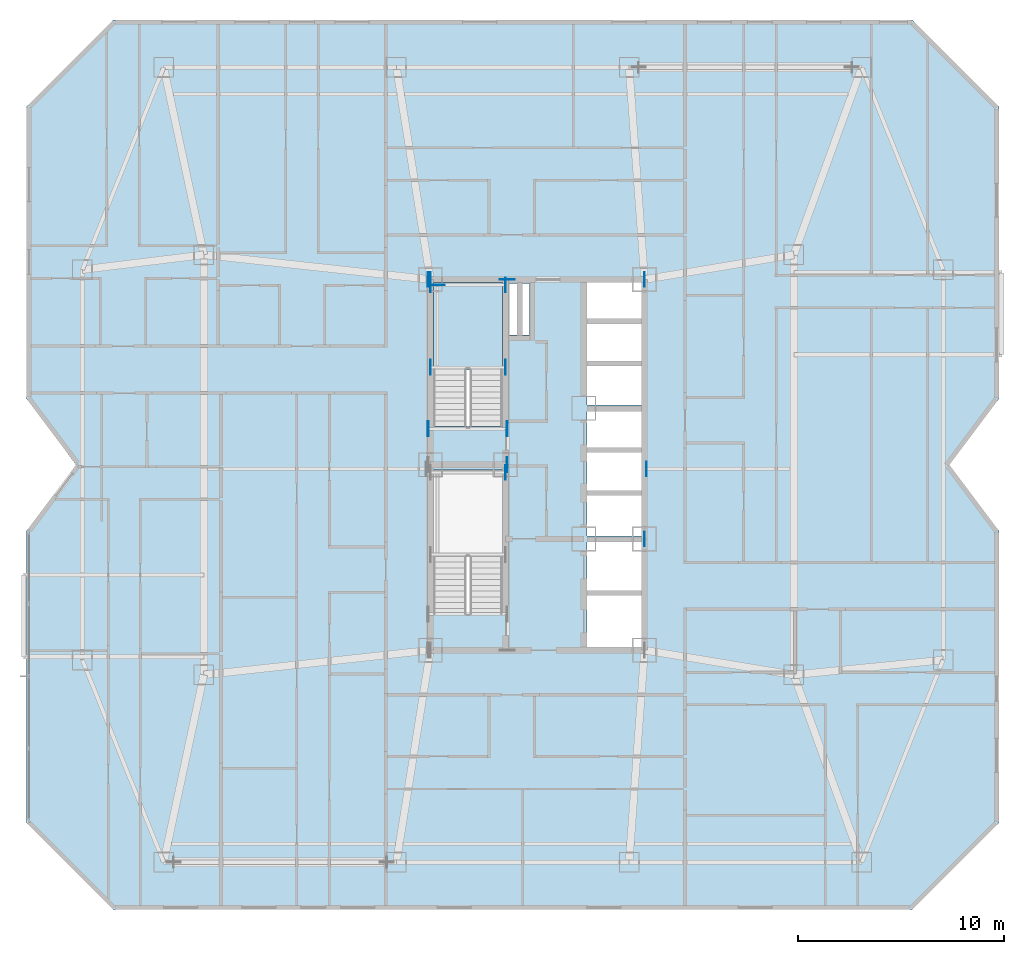
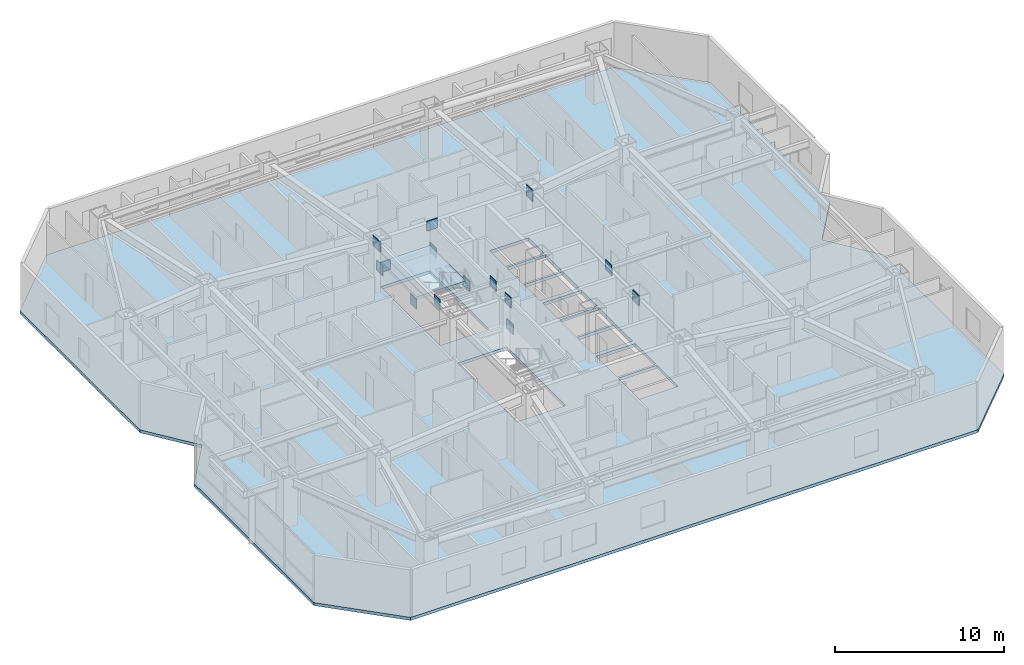
# One storey, part 8 of 18: 16 plates, 2 slabs, 1 element without a shape of its own.
"""IFC4 building model written with IfcOpenShell, lengths in metres."""

from ifc_helpers import new_model, si_unit, direction, frame, origin, origin_2d, place, context, subcontext, project, spatial, polyline, rectangle, outline, extrude, material, layer, layer_set, type_object, element, aggregate, save


model = new_model("IFC4")

# Units and contexts
model_context = context("Model", 3, precision=1e-05, world=origin(), true_north=direction((0.0, 1.0)))
body_context = subcontext(model_context, "Body", "Model", "MODEL_VIEW")
ifc_project = project(units=[si_unit("LENGTHUNIT", "METRE"), si_unit("AREAUNIT", "SQUARE_METRE"), si_unit("VOLUMEUNIT", "CUBIC_METRE"), si_unit("PLANEANGLEUNIT", "RADIAN"), si_unit("MASSUNIT", "GRAM", prefix="KILO")], contexts=[model_context])

# Site, building, storey
site_placement = place(None, origin())
site = spatial("IfcSite", under=ifc_project, at=site_placement, CompositionType="ELEMENT")
building_placement = place(site_placement, origin())
building = spatial("IfcBuilding", under=site, at=building_placement, Name="Khamvora Tower", CompositionType="ELEMENT")
storey_placement = place(building_placement, frame((0.0, 0.0, 109.199951171875)))
storey = spatial("IfcBuildingStorey", under=building, at=storey_placement, Name="L27", CompositionType="ELEMENT", Elevation=109.199951171875)

# Plates
ifc_material_1 = material(Name="Steel S460", Category="steel")
ifc_layer_1 = layer(ifc_material_1, 0.034912109375)
ifc_layer_set_1 = layer_set([ifc_layer_1], Name="Steel S460")
plate_type = type_object("IfcPlateType", Name="PL-EMB-35", PredefinedType="SHEET", material=ifc_layer_set_1)
for number, where, z_axis, x_axis, name in (
    (1, (32.64990234375, 27.6298828125, 1.13427734375), (0.0, 0.0, 1.0), (1.0, 0.0, 0.0), "L27 core shear wall cast-in embed plate 0799"),
    (2, (29.0, 32.735107421875, 1.13427734375), (0.0, 0.0, 1.0), (1.0, 0.0, 0.0), "L27 core shear wall cast-in embed plate 0800"),
    (3, (32.64990234375, 32.735107421875, 1.13427734375), (0.0, 0.0, 1.0), (1.0, 0.0, 0.0), "L27 core shear wall cast-in embed plate 0801"),
    (4, (29.0, 36.72998046875, 1.13427734375), (0.0, 0.0, 1.0), (1.0, 0.0, 0.0), "L27 core shear wall cast-in embed plate 0802"),
    (5, (32.64990234375, 36.72998046875, 1.13427734375), (0.0, 0.0, 1.0), (1.0, 0.0, 0.0), "L27 core shear wall cast-in embed plate 0803"),
):
    element("IfcPlate", number, at=place(storey_placement, frame(where, z_axis=z_axis, x_axis=x_axis)), inside=storey, type_object=plate_type, Name=name, PredefinedType="SHEET", context=body_context, shape_type="SweptSolid", body=[
        extrude(rectangle(XDim=0.034912109375, YDim=0.719970703125, at=origin_2d()), origin(), (0.0, 0.0, 1.0), 0.719970703125),
    ])
plate_1_placement = place(storey_placement, frame((29.35009765625, 36.72998046875, 1.13427734375), z_axis=(0.0, 0.0, 1.0), x_axis=(1.0, 0.0, 0.0)))
element("IfcPlate", 6, at=plate_1_placement, inside=storey, type_object=plate_type, Name="L27 core shear wall cast-in embed plate 0804", PredefinedType="SHEET", context=body_context, shape_type="SweptSolid", body=[
    extrude(rectangle(XDim=0.719970703125, YDim=0.034912109375, at=origin_2d()), origin(), (0.0, 0.0, 1.0), 0.719970703125),
])
for number, where, z_axis, x_axis, name in (
    (7, (29.0, 37.0, 2.68310546875), (0.0, 0.0, 1.0), (1.0, 0.0, 0.0), "L27 core shear wall cast-in embed plate 0807"),
    (8, (39.39990234375, 37.0, 2.68310546875), (0.0, 0.0, 1.0), (1.0, 0.0, 0.0), "L27 core shear wall cast-in embed plate 0808"),
    (9, (28.89990234375, 37.0, 2.80419921875), (0.0, 0.0, 1.0), (1.0, 0.0, 0.0), "L27 core shear wall cast-in embed plate 0811"),
    (10, (32.72998046875, 28.0, 2.80419921875), (0.0, 0.0, 1.0), (1.0, 0.0, 0.0), "L27 core shear wall cast-in embed plate 0813"),
):
    element("IfcPlate", number, at=place(storey_placement, frame(where, z_axis=z_axis, x_axis=x_axis)), inside=storey, type_object=plate_type, Name=name, PredefinedType="SHEET", context=body_context, shape_type="SweptSolid", body=[
        extrude(rectangle(XDim=0.034912109375, YDim=0.719970703125, at=origin_2d()), origin(), (0.0, 0.0, 1.0), 0.719970703125),
    ])
plate_2_placement = place(storey_placement, frame((32.72998046875, 37.0, 2.80419921875), z_axis=(0.0, 0.0, 1.0), x_axis=(1.0, 0.0, 0.0)))
element("IfcPlate", 11, at=plate_2_placement, inside=storey, type_object=plate_type, Name="L27 core shear wall cast-in embed plate 0814", PredefinedType="SHEET", context=body_context, shape_type="SweptSolid", body=[
    extrude(rectangle(XDim=0.719970703125, YDim=0.034912109375, at=origin_2d()), origin(), (0.0, 0.0, 1.0), 0.719970703125),
])
for number, where, z_axis, x_axis, name in (
    (12, (39.39990234375, 24.39990234375, 2.80419921875), (0.0, 0.0, 1.0), (1.0, 0.0, 0.0), "L27 core shear wall cast-in embed plate 0816"),
    (13, (39.39990234375, 37.0, 2.80419921875), (0.0, 0.0, 1.0), (1.0, 0.0, 0.0), "L27 core shear wall cast-in embed plate 0817"),
    (14, (28.89990234375, 29.75, 2.94384765625), (0.0, 0.0, 1.0), (1.0, 0.0, 0.0), "L27 core shear wall cast-in embed plate 0820"),
    (15, (32.72998046875, 29.75, 2.94384765625), (0.0, 0.0, 1.0), (1.0, 0.0, 0.0), "L27 core shear wall cast-in embed plate 0821"),
    (16, (39.4990234375, 27.800048828125, 2.9140625), (0.0, 0.0, 1.0), (1.0, 0.0, 0.0), "L27 core shear wall cast-in embed plate 0823"),
):
    element("IfcPlate", number, at=place(storey_placement, frame(where, z_axis=z_axis, x_axis=x_axis)), inside=storey, type_object=plate_type, Name=name, PredefinedType="SHEET", context=body_context, shape_type="SweptSolid", body=[
        extrude(rectangle(XDim=0.034912109375, YDim=0.719970703125, at=origin_2d()), origin(), (0.0, 0.0, 1.0), 0.719970703125),
    ])

# Stair, slab
ifc_material_2 = material(Name="Concrete C40/50", Category="concrete")
stair_type = type_object("IfcStairType", Name="STR-ST-02", PredefinedType="HALF_TURN_STAIR", material=ifc_material_2)
stair_placement = place(storey_placement, origin())
stair = element("IfcStair", 17, at=stair_placement, inside=storey, type_object=stair_type, Name="L27 North Tower Exit Stair ST-02", PredefinedType="HALF_TURN_STAIR")
ifc_layer_2 = layer(ifc_material_2, 0.199951171875)
ifc_layer_set_2 = layer_set([ifc_layer_2], Name="Concrete C40/50")
slab_type_1 = type_object("IfcSlabType", Name="SLB-LND-200", PredefinedType="LANDING", material=ifc_layer_set_2)
slab_1_placement = place(storey_placement, frame((0.0, 0.0, 1.625)))
slab_1 = element("IfcSlab", 18, at=slab_1_placement, type_object=slab_type_1, Name="ST-02 landing 1", PredefinedType="LANDING", context=body_context, shape_type="SweptSolid", body=[
    extrude(outline(polyline([(32.5, 32.614990234375), (32.5, 36.85009765625), (29.14990234375, 36.85009765625), (29.14990234375, 32.614990234375), (32.5, 32.614990234375)])), origin(), (0.0, 0.0, 1.0), 0.199951171875),
])
aggregate(stair, [slab_1])

# Slab
ifc_material_3 = material(Name="Concrete C35/45", Category="concrete")
ifc_layer_3 = layer(ifc_material_3, 0.219970703125)
ifc_layer_set_3 = layer_set([ifc_layer_3], Name="Concrete C35/45")
slab_type_2 = type_object("IfcSlabType", Name="SLB-TYP-220", PredefinedType="FLOOR", material=ifc_layer_set_3)
slab_2_placement = place(storey_placement, frame((0.0, 0.0, -0.219970703125)))
element("IfcSlab", 19, at=slab_2_placement, inside=storey, type_object=slab_type_2, Name="L27 structural floor slab", PredefinedType="FLOOR", context=body_context, shape_type="SweptSolid", body=[
    extrude(outline(polyline([(13.60009765625, 6.39990234375), (52.39990234375, 6.39990234375), (56.60009765625, 10.60009765625), (56.60009765625, 24.800048828125), (54.199951171875, 28.0), (56.60009765625, 31.199951171875), (56.60009765625, 45.39990234375), (52.39990234375, 49.60009765625), (13.60009765625, 49.60009765625), (9.39990234375, 45.39990234375), (9.39990234375, 31.199951171875), (11.800048828125, 28.0), (9.39990234375, 24.800048828125), (9.39990234375, 10.60009765625), (13.60009765625, 6.39990234375)]), holes=[polyline([(32.5, 20.760009765625), (32.5, 27.75), (29.14990234375, 27.75), (29.14990234375, 20.760009765625), (32.5, 20.760009765625)]), polyline([(32.5, 29.860107421875), (32.5, 36.85009765625), (29.14990234375, 36.85009765625), (29.14990234375, 29.860107421875), (32.5, 29.860107421875)]), polyline([(36.60009765625, 19.14990234375), (39.25, 19.14990234375), (39.25, 21.64990234375), (36.60009765625, 21.64990234375), (36.60009765625, 19.14990234375)]), polyline([(36.60009765625, 21.800048828125), (39.25, 21.800048828125), (39.25, 24.25), (36.60009765625, 24.25), (36.60009765625, 21.800048828125)]), polyline([(36.60009765625, 24.550048828125), (39.25, 24.550048828125), (39.25, 26.5), (36.60009765625, 26.5), (36.60009765625, 24.550048828125)]), polyline([(36.60009765625, 26.64990234375), (39.25, 26.64990234375), (39.25, 28.60009765625), (36.60009765625, 28.60009765625), (36.60009765625, 26.64990234375)]), polyline([(36.60009765625, 28.75), (39.25, 28.75), (39.25, 30.60009765625), (36.60009765625, 30.60009765625), (36.60009765625, 28.75)]), polyline([(36.60009765625, 30.89990234375), (39.25, 30.89990234375), (39.25, 32.800048828125), (36.60009765625, 32.800048828125), (36.60009765625, 30.89990234375)]), polyline([(36.60009765625, 32.949951171875), (39.25, 32.949951171875), (39.25, 34.85009765625), (36.60009765625, 34.85009765625), (36.60009765625, 32.949951171875)]), polyline([(36.60009765625, 35.0), (39.25, 35.0), (39.25, 36.85009765625), (36.60009765625, 36.85009765625), (36.60009765625, 35.0)]), polyline([(32.800048828125, 34.300048828125), (33.199951171875, 34.300048828125), (33.199951171875, 36.800048828125), (32.800048828125, 36.800048828125), (32.800048828125, 34.300048828125)]), polyline([(33.47998046875, 34.300048828125), (33.820068359375, 34.300048828125), (33.820068359375, 36.800048828125), (33.47998046875, 36.800048828125), (33.47998046875, 34.300048828125)])]), origin(), (0.0, 0.0, 1.0), 0.219970703125),
])

save(model, "model.ifc")
